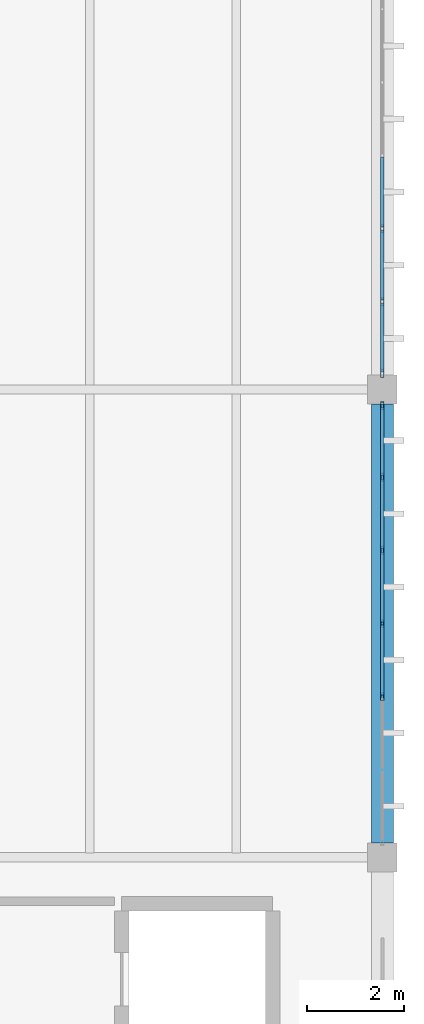
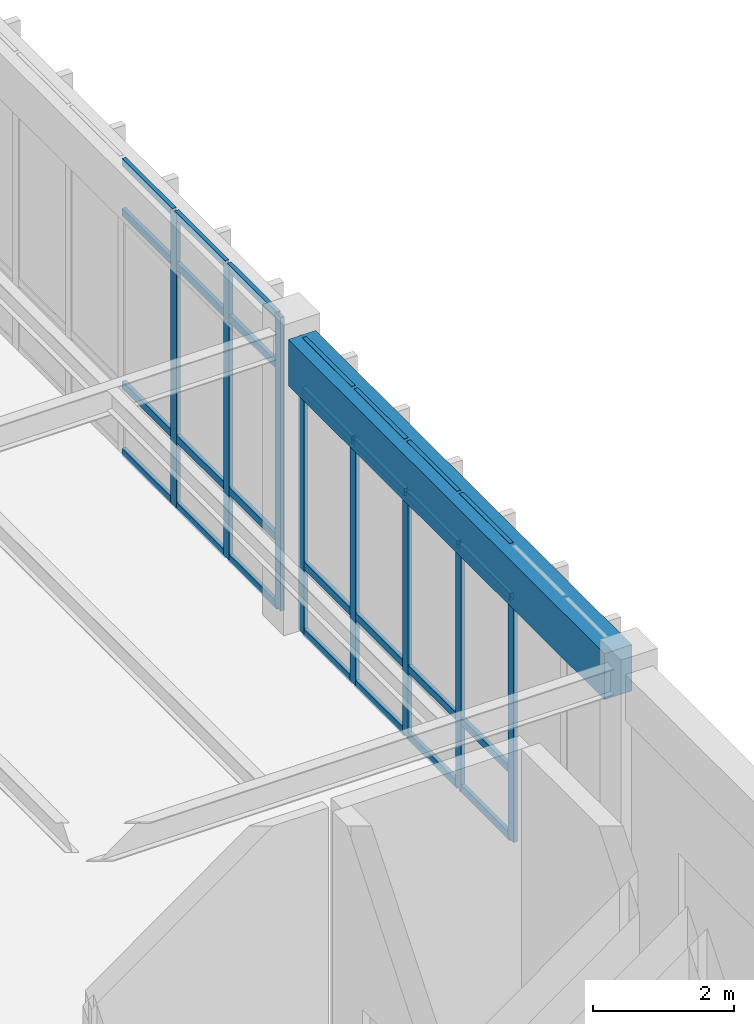
# One storey, part 121 of 188: 36 members, 1 beam, 2 elements without a shape of their own.
"""IFC4 building model written with IfcOpenShell, lengths in metres."""

from ifc_helpers import new_model, si_unit, direction, frame, origin, origin_2d, place, context, subcontext, project, spatial, rectangle, hollow_rectangle, extrude, material, layer, layer_set, material_profile, profile_set, type_object, element, aggregate, save


model = new_model("IFC4")

# Units and contexts
model_context = context("Model", 3, precision=1e-05, world=origin(), true_north=direction((0.0, 1.0)))
body_context = subcontext(model_context, "Body", "Model", "MODEL_VIEW")
ifc_project = project(units=[si_unit("LENGTHUNIT", "METRE"), si_unit("AREAUNIT", "SQUARE_METRE"), si_unit("VOLUMEUNIT", "CUBIC_METRE"), si_unit("PLANEANGLEUNIT", "RADIAN"), si_unit("MASSUNIT", "GRAM", prefix="KILO")], contexts=[model_context])

# Site, building, storey
site_placement = place(None, origin())
site = spatial("IfcSite", under=ifc_project, at=site_placement, CompositionType="ELEMENT")
building_placement = place(site_placement, origin())
building = spatial("IfcBuilding", under=site, at=building_placement, Name="Pandanus Reach Market Hall", CompositionType="ELEMENT")
storey_placement = place(building_placement, origin())
storey = spatial("IfcBuildingStorey", under=building, at=storey_placement, Name="L00", CompositionType="ELEMENT", Elevation=0.0)

# Beam
ifc_material_1 = material(Name="Concrete N40 (40 MPa)", Category="concrete")
ifc_material_profile_1 = material_profile(ifc_material_1, rectangle(XDim=0.449951171875, YDim=0.800048828125, at=origin_2d()), Name="RC450x800", Category="LoadBearing")
ifc_profile_set_1 = profile_set([ifc_material_profile_1], Name="Concrete N40 (40 MPa)")
beam_type = type_object("IfcBeamType", Name="BM-RC450-E", PredefinedType="SPANDREL", material=ifc_profile_set_1)
beam_placement = place(storey_placement, frame((180.0, 77.097900390625, 4.72509765625), z_axis=(0.0, 1.0, 0.0), x_axis=(-1.0, 0.0, 0.0)))
element("IfcBeam", 1, at=beam_placement, inside=storey, type_object=beam_type, Name="Framing beam BM-RC450-E L00.226", PredefinedType="SPANDREL", context=body_context, shape_type="SweptSolid", body=[
    extrude(rectangle(XDim=0.449951171875, YDim=0.800048828125, at=origin_2d()), origin(), (0.0, 0.0, 1.0), 9.004150390625),
])

# Curtain wall, members
ifc_material_2 = material(Name="Bronze anodised aluminium and low-E glass", Category="aluminium")
ifc_layer = layer(ifc_material_2, 0.159912109375, Name="CW-25")
ifc_layer_set = layer_set([ifc_layer], Name="Bronze anodised aluminium and low-E glass")
curtain_wall_type = type_object("IfcCurtainWallType", Name="CW-25", PredefinedType="NOTDEFINED", material=ifc_layer_set)
curtain_wall_1_placement = place(storey_placement, origin())
curtain_wall_1 = element("IfcCurtainWall", 2, at=curtain_wall_1_placement, inside=storey, type_object=curtain_wall_type, Name="Glazed curtain wall CW-25 CW-0073", PredefinedType="NOTDEFINED")
ifc_material_3 = material(Name="Bronze anodised aluminium", Category="aluminium")
ifc_material_profile_2 = material_profile(ifc_material_3, hollow_rectangle(XDim=0.06494140625, YDim=0.159912109375, WallThickness=0.00390625, at=origin_2d()), Name="ALU65x160", Category="LoadBearing")
ifc_profile_set_2 = profile_set([ifc_material_profile_2], Name="Bronze anodised aluminium")
member_type_1 = type_object("IfcMemberType", Name="CW-M1", PredefinedType="MULLION", material=ifc_profile_set_2)
member_1_placement = place(storey_placement, frame((180.0, 80.10009765625, 0.0), z_axis=(0.0, 0.0, 1.0), x_axis=(-1.0, 0.0, 0.0)))
member_1 = element("IfcMember", 3, at=member_1_placement, type_object=member_type_1, Name="CW-25 mullion 3", PredefinedType="MULLION", context=body_context, shape_type="SweptSolid", body=[
    extrude(hollow_rectangle(XDim=0.06494140625, YDim=0.159912109375, WallThickness=0.00390625, at=origin_2d()), origin(), (0.0, 0.0, 1.0), 5.10009765625),
])
member_2_placement = place(storey_placement, frame((180.0, 81.60009765625, 0.0), z_axis=(0.0, 0.0, 1.0), x_axis=(-1.0, 0.0, 0.0)))
member_2 = element("IfcMember", 4, at=member_2_placement, type_object=member_type_1, Name="CW-25 mullion 4", PredefinedType="MULLION", context=body_context, shape_type="SweptSolid", body=[
    extrude(hollow_rectangle(XDim=0.06494140625, YDim=0.159912109375, WallThickness=0.00390625, at=origin_2d()), origin(), (0.0, 0.0, 1.0), 5.10009765625),
])
member_3_placement = place(storey_placement, frame((180.0, 83.10009765625, 0.0), z_axis=(0.0, 0.0, 1.0), x_axis=(-1.0, 0.0, 0.0)))
member_3 = element("IfcMember", 5, at=member_3_placement, type_object=member_type_1, Name="CW-25 mullion 5", PredefinedType="MULLION", context=body_context, shape_type="SweptSolid", body=[
    extrude(hollow_rectangle(XDim=0.06494140625, YDim=0.159912109375, WallThickness=0.00390625, at=origin_2d()), origin(), (0.0, 0.0, 1.0), 5.10009765625),
])
member_4_placement = place(storey_placement, frame((180.0, 84.60009765625, 0.0), z_axis=(0.0, 0.0, 1.0), x_axis=(-1.0, 0.0, 0.0)))
member_4 = element("IfcMember", 6, at=member_4_placement, type_object=member_type_1, Name="CW-25 mullion 6", PredefinedType="MULLION", context=body_context, shape_type="SweptSolid", body=[
    extrude(hollow_rectangle(XDim=0.06494140625, YDim=0.159912109375, WallThickness=0.00390625, at=origin_2d()), origin(), (0.0, 0.0, 1.0), 5.10009765625),
])
member_5_placement = place(storey_placement, frame((180.0, 86.0673828125, 0.0), z_axis=(0.0, 0.0, 1.0), x_axis=(-1.0, 0.0, 0.0)))
member_5 = element("IfcMember", 7, at=member_5_placement, type_object=member_type_1, Name="CW-25 mullion 7", PredefinedType="MULLION", context=body_context, shape_type="SweptSolid", body=[
    extrude(hollow_rectangle(XDim=0.06494140625, YDim=0.159912109375, WallThickness=0.00390625, at=origin_2d()), origin(), (0.0, 0.0, 1.0), 5.10009765625),
])

curtain_wall_2_placement = place(storey_placement, origin())
curtain_wall_2 = element("IfcCurtainWall", 8, at=curtain_wall_2_placement, inside=storey, type_object=curtain_wall_type, Name="Glazed curtain wall CW-25 CW-0074", PredefinedType="NOTDEFINED")
member_6_placement = place(storey_placement, frame((180.0, 86.732421875, 0.0), z_axis=(0.0, 0.0, 1.0), x_axis=(-1.0, 0.0, 0.0)))
member_6 = element("IfcMember", 9, at=member_6_placement, type_object=member_type_1, Name="CW-25 mullion 1", PredefinedType="MULLION", context=body_context, shape_type="SweptSolid", body=[
    extrude(hollow_rectangle(XDim=0.06494140625, YDim=0.159912109375, WallThickness=0.00390625, at=origin_2d()), origin(), (0.0, 0.0, 1.0), 5.10009765625),
])
member_7_placement = place(storey_placement, frame((180.0, 88.199951171875, 0.0), z_axis=(0.0, 0.0, 1.0), x_axis=(-1.0, 0.0, 0.0)))
member_7 = element("IfcMember", 10, at=member_7_placement, type_object=member_type_1, Name="CW-25 mullion 2", PredefinedType="MULLION", context=body_context, shape_type="SweptSolid", body=[
    extrude(hollow_rectangle(XDim=0.06494140625, YDim=0.159912109375, WallThickness=0.00390625, at=origin_2d()), origin(), (0.0, 0.0, 1.0), 5.10009765625),
])
member_8_placement = place(storey_placement, frame((180.0, 89.699951171875, 0.0), z_axis=(0.0, 0.0, 1.0), x_axis=(-1.0, 0.0, 0.0)))
member_8 = element("IfcMember", 11, at=member_8_placement, type_object=member_type_1, Name="CW-25 mullion 3", PredefinedType="MULLION", context=body_context, shape_type="SweptSolid", body=[
    extrude(hollow_rectangle(XDim=0.06494140625, YDim=0.159912109375, WallThickness=0.00390625, at=origin_2d()), origin(), (0.0, 0.0, 1.0), 5.10009765625),
])

# Member
ifc_material_profile_3 = material_profile(ifc_material_3, hollow_rectangle(XDim=0.06494140625, YDim=0.1298828125, WallThickness=0.00390625, at=origin_2d()), Name="ALU65x130", Category="LoadBearing")
ifc_profile_set_3 = profile_set([ifc_material_profile_3], Name="Bronze anodised aluminium")
member_type_2 = type_object("IfcMemberType", Name="CW-T1", PredefinedType="USERDEFINED", material=ifc_profile_set_3)
member_9_placement = place(storey_placement, frame((180.0, 80.132568359375, 0.032470703125), z_axis=(0.0, 1.0, 0.0), x_axis=(-1.0, 0.0, 0.0)))
member_9 = element("IfcMember", 12, at=member_9_placement, type_object=member_type_2, Name="CW-25 transom 3.1", ObjectType="TRANSOM", PredefinedType="USERDEFINED", context=body_context, shape_type="SweptSolid", body=[
    extrude(hollow_rectangle(XDim=0.06494140625, YDim=0.1298828125, WallThickness=0.00390625, at=origin_2d()), origin(), (0.0, 0.0, 1.0), 1.434814453125),
])

member_10_placement = place(storey_placement, frame((180.0, 80.132568359375, 1.199951171875), z_axis=(0.0, 1.0, 0.0), x_axis=(-1.0, 0.0, 0.0)))
member_10 = element("IfcMember", 13, at=member_10_placement, type_object=member_type_2, Name="CW-25 transom 3.2", ObjectType="TRANSOM", PredefinedType="USERDEFINED", context=body_context, shape_type="SweptSolid", body=[
    extrude(hollow_rectangle(XDim=0.06494140625, YDim=0.1298828125, WallThickness=0.00390625, at=origin_2d()), origin(), (0.0, 0.0, 1.0), 1.434814453125),
])

member_11_placement = place(storey_placement, frame((180.0, 80.132568359375, 4.199951171875), z_axis=(0.0, 1.0, 0.0), x_axis=(-1.0, 0.0, 0.0)))
member_11 = element("IfcMember", 14, at=member_11_placement, type_object=member_type_2, Name="CW-25 transom 3.3", ObjectType="TRANSOM", PredefinedType="USERDEFINED", context=body_context, shape_type="SweptSolid", body=[
    extrude(hollow_rectangle(XDim=0.06494140625, YDim=0.1298828125, WallThickness=0.00390625, at=origin_2d()), origin(), (0.0, 0.0, 1.0), 1.434814453125),
])

member_12_placement = place(storey_placement, frame((180.0, 80.132568359375, 5.0673828125), z_axis=(0.0, 1.0, 0.0), x_axis=(-1.0, 0.0, 0.0)))
member_12 = element("IfcMember", 15, at=member_12_placement, type_object=member_type_2, Name="CW-25 transom 3.4", ObjectType="TRANSOM", PredefinedType="USERDEFINED", context=body_context, shape_type="SweptSolid", body=[
    extrude(hollow_rectangle(XDim=0.06494140625, YDim=0.1298828125, WallThickness=0.00390625, at=origin_2d()), origin(), (0.0, 0.0, 1.0), 1.434814453125),
])

member_13_placement = place(storey_placement, frame((180.0, 81.632568359375, 0.032470703125), z_axis=(0.0, 1.0, 0.0), x_axis=(-1.0, 0.0, 0.0)))
member_13 = element("IfcMember", 16, at=member_13_placement, type_object=member_type_2, Name="CW-25 transom 4.1", ObjectType="TRANSOM", PredefinedType="USERDEFINED", context=body_context, shape_type="SweptSolid", body=[
    extrude(hollow_rectangle(XDim=0.06494140625, YDim=0.1298828125, WallThickness=0.00390625, at=origin_2d()), origin(), (0.0, 0.0, 1.0), 1.434814453125),
])

member_14_placement = place(storey_placement, frame((180.0, 81.632568359375, 1.199951171875), z_axis=(0.0, 1.0, 0.0), x_axis=(-1.0, 0.0, 0.0)))
member_14 = element("IfcMember", 17, at=member_14_placement, type_object=member_type_2, Name="CW-25 transom 4.2", ObjectType="TRANSOM", PredefinedType="USERDEFINED", context=body_context, shape_type="SweptSolid", body=[
    extrude(hollow_rectangle(XDim=0.06494140625, YDim=0.1298828125, WallThickness=0.00390625, at=origin_2d()), origin(), (0.0, 0.0, 1.0), 1.434814453125),
])

member_15_placement = place(storey_placement, frame((180.0, 81.632568359375, 4.199951171875), z_axis=(0.0, 1.0, 0.0), x_axis=(-1.0, 0.0, 0.0)))
member_15 = element("IfcMember", 18, at=member_15_placement, type_object=member_type_2, Name="CW-25 transom 4.3", ObjectType="TRANSOM", PredefinedType="USERDEFINED", context=body_context, shape_type="SweptSolid", body=[
    extrude(hollow_rectangle(XDim=0.06494140625, YDim=0.1298828125, WallThickness=0.00390625, at=origin_2d()), origin(), (0.0, 0.0, 1.0), 1.434814453125),
])

member_16_placement = place(storey_placement, frame((180.0, 81.632568359375, 5.0673828125), z_axis=(0.0, 1.0, 0.0), x_axis=(-1.0, 0.0, 0.0)))
member_16 = element("IfcMember", 19, at=member_16_placement, type_object=member_type_2, Name="CW-25 transom 4.4", ObjectType="TRANSOM", PredefinedType="USERDEFINED", context=body_context, shape_type="SweptSolid", body=[
    extrude(hollow_rectangle(XDim=0.06494140625, YDim=0.1298828125, WallThickness=0.00390625, at=origin_2d()), origin(), (0.0, 0.0, 1.0), 1.434814453125),
])

member_17_placement = place(storey_placement, frame((180.0, 83.132568359375, 0.032470703125), z_axis=(0.0, 1.0, 0.0), x_axis=(-1.0, 0.0, 0.0)))
member_17 = element("IfcMember", 20, at=member_17_placement, type_object=member_type_2, Name="CW-25 transom 5.1", ObjectType="TRANSOM", PredefinedType="USERDEFINED", context=body_context, shape_type="SweptSolid", body=[
    extrude(hollow_rectangle(XDim=0.06494140625, YDim=0.1298828125, WallThickness=0.00390625, at=origin_2d()), origin(), (0.0, 0.0, 1.0), 1.434814453125),
])

member_18_placement = place(storey_placement, frame((180.0, 83.132568359375, 1.199951171875), z_axis=(0.0, 1.0, 0.0), x_axis=(-1.0, 0.0, 0.0)))
member_18 = element("IfcMember", 21, at=member_18_placement, type_object=member_type_2, Name="CW-25 transom 5.2", ObjectType="TRANSOM", PredefinedType="USERDEFINED", context=body_context, shape_type="SweptSolid", body=[
    extrude(hollow_rectangle(XDim=0.06494140625, YDim=0.1298828125, WallThickness=0.00390625, at=origin_2d()), origin(), (0.0, 0.0, 1.0), 1.434814453125),
])

member_19_placement = place(storey_placement, frame((180.0, 83.132568359375, 4.199951171875), z_axis=(0.0, 1.0, 0.0), x_axis=(-1.0, 0.0, 0.0)))
member_19 = element("IfcMember", 22, at=member_19_placement, type_object=member_type_2, Name="CW-25 transom 5.3", ObjectType="TRANSOM", PredefinedType="USERDEFINED", context=body_context, shape_type="SweptSolid", body=[
    extrude(hollow_rectangle(XDim=0.06494140625, YDim=0.1298828125, WallThickness=0.00390625, at=origin_2d()), origin(), (0.0, 0.0, 1.0), 1.434814453125),
])

member_20_placement = place(storey_placement, frame((180.0, 83.132568359375, 5.0673828125), z_axis=(0.0, 1.0, 0.0), x_axis=(-1.0, 0.0, 0.0)))
member_20 = element("IfcMember", 23, at=member_20_placement, type_object=member_type_2, Name="CW-25 transom 5.4", ObjectType="TRANSOM", PredefinedType="USERDEFINED", context=body_context, shape_type="SweptSolid", body=[
    extrude(hollow_rectangle(XDim=0.06494140625, YDim=0.1298828125, WallThickness=0.00390625, at=origin_2d()), origin(), (0.0, 0.0, 1.0), 1.434814453125),
])

member_21_placement = place(storey_placement, frame((180.0, 84.632568359375, 0.032470703125), z_axis=(0.0, 1.0, 0.0), x_axis=(-1.0, 0.0, 0.0)))
member_21 = element("IfcMember", 24, at=member_21_placement, type_object=member_type_2, Name="CW-25 transom 6.1", ObjectType="TRANSOM", PredefinedType="USERDEFINED", context=body_context, shape_type="SweptSolid", body=[
    extrude(hollow_rectangle(XDim=0.06494140625, YDim=0.1298828125, WallThickness=0.00390625, at=origin_2d()), origin(), (0.0, 0.0, 1.0), 1.40234375),
])

member_22_placement = place(storey_placement, frame((180.0, 84.632568359375, 1.199951171875), z_axis=(0.0, 1.0, 0.0), x_axis=(-1.0, 0.0, 0.0)))
member_22 = element("IfcMember", 25, at=member_22_placement, type_object=member_type_2, Name="CW-25 transom 6.2", ObjectType="TRANSOM", PredefinedType="USERDEFINED", context=body_context, shape_type="SweptSolid", body=[
    extrude(hollow_rectangle(XDim=0.06494140625, YDim=0.1298828125, WallThickness=0.00390625, at=origin_2d()), origin(), (0.0, 0.0, 1.0), 1.40234375),
])

member_23_placement = place(storey_placement, frame((180.0, 84.632568359375, 4.199951171875), z_axis=(0.0, 1.0, 0.0), x_axis=(-1.0, 0.0, 0.0)))
member_23 = element("IfcMember", 26, at=member_23_placement, type_object=member_type_2, Name="CW-25 transom 6.3", ObjectType="TRANSOM", PredefinedType="USERDEFINED", context=body_context, shape_type="SweptSolid", body=[
    extrude(hollow_rectangle(XDim=0.06494140625, YDim=0.1298828125, WallThickness=0.00390625, at=origin_2d()), origin(), (0.0, 0.0, 1.0), 1.40234375),
])

member_24_placement = place(storey_placement, frame((180.0, 84.632568359375, 5.0673828125), z_axis=(0.0, 1.0, 0.0), x_axis=(-1.0, 0.0, 0.0)))
member_24 = element("IfcMember", 27, at=member_24_placement, type_object=member_type_2, Name="CW-25 transom 6.4", ObjectType="TRANSOM", PredefinedType="USERDEFINED", context=body_context, shape_type="SweptSolid", body=[
    extrude(hollow_rectangle(XDim=0.06494140625, YDim=0.1298828125, WallThickness=0.00390625, at=origin_2d()), origin(), (0.0, 0.0, 1.0), 1.40234375),
])

aggregate(curtain_wall_1, [member_1, member_2, member_3, member_4, member_5, member_9, member_10, member_11, member_12, member_13, member_14, member_15, member_16, member_17, member_18, member_19, member_20, member_21, member_22, member_23, member_24])

member_25_placement = place(storey_placement, frame((180.0, 86.764892578125, 0.032470703125), z_axis=(0.0, 1.0, 0.0), x_axis=(-1.0, 0.0, 0.0)))
member_25 = element("IfcMember", 28, at=member_25_placement, type_object=member_type_2, Name="CW-25 transom 1.1", ObjectType="TRANSOM", PredefinedType="USERDEFINED", context=body_context, shape_type="SweptSolid", body=[
    extrude(hollow_rectangle(XDim=0.06494140625, YDim=0.1298828125, WallThickness=0.00390625, at=origin_2d()), origin(), (0.0, 0.0, 1.0), 1.402587890625),
])

member_26_placement = place(storey_placement, frame((180.0, 86.764892578125, 1.199951171875), z_axis=(0.0, 1.0, 0.0), x_axis=(-1.0, 0.0, 0.0)))
member_26 = element("IfcMember", 29, at=member_26_placement, type_object=member_type_2, Name="CW-25 transom 1.2", ObjectType="TRANSOM", PredefinedType="USERDEFINED", context=body_context, shape_type="SweptSolid", body=[
    extrude(hollow_rectangle(XDim=0.06494140625, YDim=0.1298828125, WallThickness=0.00390625, at=origin_2d()), origin(), (0.0, 0.0, 1.0), 1.402587890625),
])

member_27_placement = place(storey_placement, frame((180.0, 86.764892578125, 4.199951171875), z_axis=(0.0, 1.0, 0.0), x_axis=(-1.0, 0.0, 0.0)))
member_27 = element("IfcMember", 30, at=member_27_placement, type_object=member_type_2, Name="CW-25 transom 1.3", ObjectType="TRANSOM", PredefinedType="USERDEFINED", context=body_context, shape_type="SweptSolid", body=[
    extrude(hollow_rectangle(XDim=0.06494140625, YDim=0.1298828125, WallThickness=0.00390625, at=origin_2d()), origin(), (0.0, 0.0, 1.0), 1.402587890625),
])

member_28_placement = place(storey_placement, frame((180.0, 86.764892578125, 5.0673828125), z_axis=(0.0, 1.0, 0.0), x_axis=(-1.0, 0.0, 0.0)))
member_28 = element("IfcMember", 31, at=member_28_placement, type_object=member_type_2, Name="CW-25 transom 1.4", ObjectType="TRANSOM", PredefinedType="USERDEFINED", context=body_context, shape_type="SweptSolid", body=[
    extrude(hollow_rectangle(XDim=0.06494140625, YDim=0.1298828125, WallThickness=0.00390625, at=origin_2d()), origin(), (0.0, 0.0, 1.0), 1.402587890625),
])

member_29_placement = place(storey_placement, frame((180.0, 88.232421875, 0.032470703125), z_axis=(0.0, 1.0, 0.0), x_axis=(-1.0, 0.0, 0.0)))
member_29 = element("IfcMember", 32, at=member_29_placement, type_object=member_type_2, Name="CW-25 transom 2.1", ObjectType="TRANSOM", PredefinedType="USERDEFINED", context=body_context, shape_type="SweptSolid", body=[
    extrude(hollow_rectangle(XDim=0.06494140625, YDim=0.1298828125, WallThickness=0.00390625, at=origin_2d()), origin(), (0.0, 0.0, 1.0), 1.43505859375),
])

member_30_placement = place(storey_placement, frame((180.0, 88.232421875, 1.199951171875), z_axis=(0.0, 1.0, 0.0), x_axis=(-1.0, 0.0, 0.0)))
member_30 = element("IfcMember", 33, at=member_30_placement, type_object=member_type_2, Name="CW-25 transom 2.2", ObjectType="TRANSOM", PredefinedType="USERDEFINED", context=body_context, shape_type="SweptSolid", body=[
    extrude(hollow_rectangle(XDim=0.06494140625, YDim=0.1298828125, WallThickness=0.00390625, at=origin_2d()), origin(), (0.0, 0.0, 1.0), 1.43505859375),
])

member_31_placement = place(storey_placement, frame((180.0, 88.232421875, 4.199951171875), z_axis=(0.0, 1.0, 0.0), x_axis=(-1.0, 0.0, 0.0)))
member_31 = element("IfcMember", 34, at=member_31_placement, type_object=member_type_2, Name="CW-25 transom 2.3", ObjectType="TRANSOM", PredefinedType="USERDEFINED", context=body_context, shape_type="SweptSolid", body=[
    extrude(hollow_rectangle(XDim=0.06494140625, YDim=0.1298828125, WallThickness=0.00390625, at=origin_2d()), origin(), (0.0, 0.0, 1.0), 1.43505859375),
])

member_32_placement = place(storey_placement, frame((180.0, 88.232421875, 5.0673828125), z_axis=(0.0, 1.0, 0.0), x_axis=(-1.0, 0.0, 0.0)))
member_32 = element("IfcMember", 35, at=member_32_placement, type_object=member_type_2, Name="CW-25 transom 2.4", ObjectType="TRANSOM", PredefinedType="USERDEFINED", context=body_context, shape_type="SweptSolid", body=[
    extrude(hollow_rectangle(XDim=0.06494140625, YDim=0.1298828125, WallThickness=0.00390625, at=origin_2d()), origin(), (0.0, 0.0, 1.0), 1.43505859375),
])

member_33_placement = place(storey_placement, frame((180.0, 89.732421875, 0.032470703125), z_axis=(0.0, 1.0, 0.0), x_axis=(-1.0, 0.0, 0.0)))
member_33 = element("IfcMember", 36, at=member_33_placement, type_object=member_type_2, Name="CW-25 transom 3.1", ObjectType="TRANSOM", PredefinedType="USERDEFINED", context=body_context, shape_type="SweptSolid", body=[
    extrude(hollow_rectangle(XDim=0.06494140625, YDim=0.1298828125, WallThickness=0.00390625, at=origin_2d()), origin(), (0.0, 0.0, 1.0), 1.43505859375),
])

member_34_placement = place(storey_placement, frame((180.0, 89.732421875, 1.199951171875), z_axis=(0.0, 1.0, 0.0), x_axis=(-1.0, 0.0, 0.0)))
member_34 = element("IfcMember", 37, at=member_34_placement, type_object=member_type_2, Name="CW-25 transom 3.2", ObjectType="TRANSOM", PredefinedType="USERDEFINED", context=body_context, shape_type="SweptSolid", body=[
    extrude(hollow_rectangle(XDim=0.06494140625, YDim=0.1298828125, WallThickness=0.00390625, at=origin_2d()), origin(), (0.0, 0.0, 1.0), 1.43505859375),
])

member_35_placement = place(storey_placement, frame((180.0, 89.732421875, 4.199951171875), z_axis=(0.0, 1.0, 0.0), x_axis=(-1.0, 0.0, 0.0)))
member_35 = element("IfcMember", 38, at=member_35_placement, type_object=member_type_2, Name="CW-25 transom 3.3", ObjectType="TRANSOM", PredefinedType="USERDEFINED", context=body_context, shape_type="SweptSolid", body=[
    extrude(hollow_rectangle(XDim=0.06494140625, YDim=0.1298828125, WallThickness=0.00390625, at=origin_2d()), origin(), (0.0, 0.0, 1.0), 1.43505859375),
])

member_36_placement = place(storey_placement, frame((180.0, 89.732421875, 5.0673828125), z_axis=(0.0, 1.0, 0.0), x_axis=(-1.0, 0.0, 0.0)))
member_36 = element("IfcMember", 39, at=member_36_placement, type_object=member_type_2, Name="CW-25 transom 3.4", ObjectType="TRANSOM", PredefinedType="USERDEFINED", context=body_context, shape_type="SweptSolid", body=[
    extrude(hollow_rectangle(XDim=0.06494140625, YDim=0.1298828125, WallThickness=0.00390625, at=origin_2d()), origin(), (0.0, 0.0, 1.0), 1.43505859375),
])

aggregate(curtain_wall_2, [member_6, member_7, member_8, member_25, member_26, member_27, member_28, member_29, member_30, member_31, member_32, member_33, member_34, member_35, member_36])

save(model, "model.ifc")
